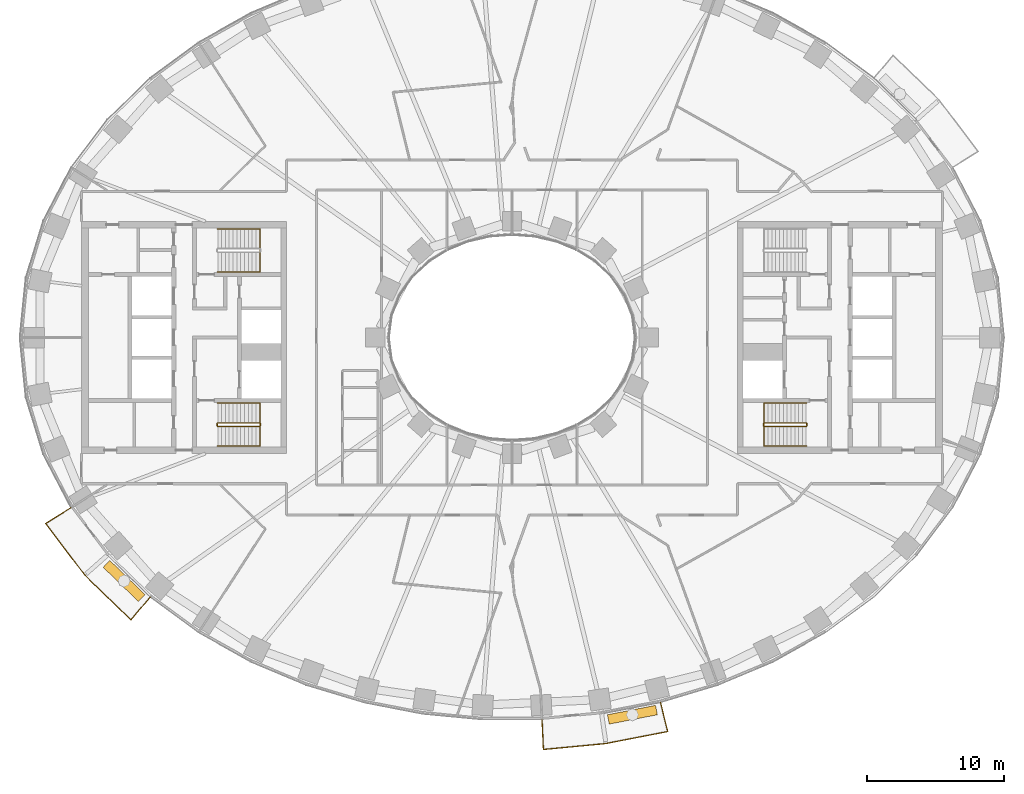
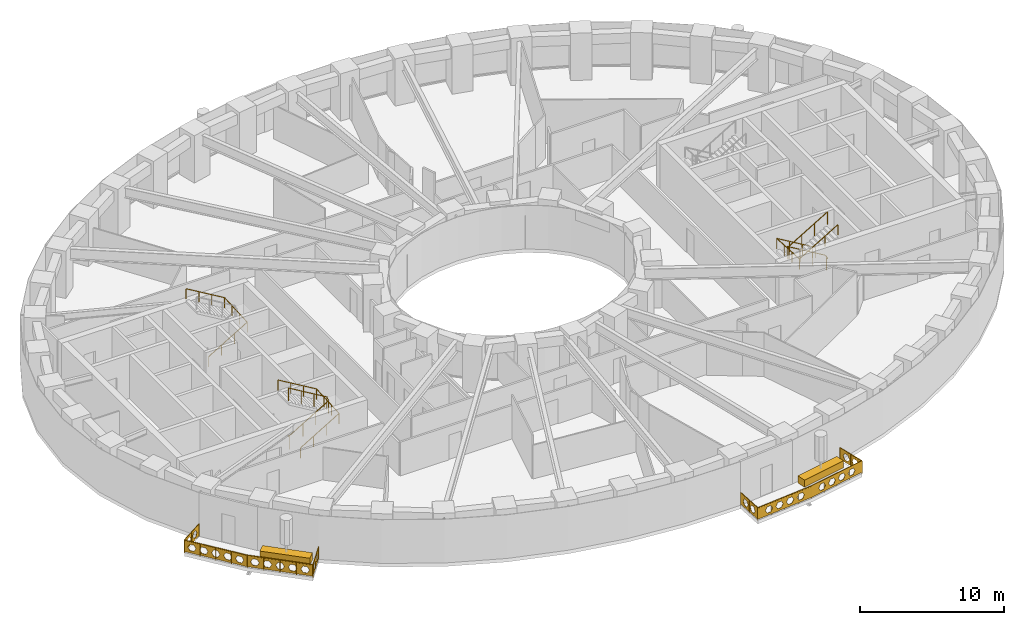
# One storey, part 14 of 16: 7 railings, 2 coverings.
"""IFC4 building model written with IfcOpenShell, lengths in metres."""

from ifc_helpers import new_model, si_unit, direction, frame, origin, origin_2d, place, context, subcontext, project, spatial, polyline, rectangle, outline, extrude, material, type_object, element, save


model = new_model("IFC4")

# Units and contexts
model_context = context("Model", 3, precision=1e-05, world=origin(), true_north=direction((0.0, 1.0)))
body_context = subcontext(model_context, "Body", "Model", "MODEL_VIEW")
ifc_project = project(units=[si_unit("LENGTHUNIT", "METRE"), si_unit("AREAUNIT", "SQUARE_METRE"), si_unit("VOLUMEUNIT", "CUBIC_METRE"), si_unit("PLANEANGLEUNIT", "RADIAN"), si_unit("MASSUNIT", "GRAM", prefix="KILO")], contexts=[model_context])

# Site, building, storey
site_placement = place(None, origin())
site = spatial("IfcSite", under=ifc_project, at=site_placement, CompositionType="ELEMENT")
building_placement = place(site_placement, origin())
building = spatial("IfcBuilding", under=site, at=building_placement, Name="Noorbagh Ring Tower", CompositionType="ELEMENT")
storey_placement = place(building_placement, frame((0.0, 0.0, 42.5)))
storey = spatial("IfcBuildingStorey", under=building, at=storey_placement, Name="L08", CompositionType="ELEMENT", Elevation=42.5)

# Railings
ifc_material_1 = material(Name="Stainless steel", Category="steel")
railing_type_1 = type_object("IfcRailingType", Name="CORE-STAIR-GUARD", PredefinedType="GUARDRAIL", material=ifc_material_1)
railing_1_placement = place(storey_placement, frame((-21.580078125, -6.449951171875, 0.0)))
element("IfcRailing", 1, at=railing_1_placement, inside=storey, type_object=railing_type_1, Name="L08 ST2 stair guard", PredefinedType="GUARDRAIL", context=body_context, shape_type="SweptSolid", body=[
    extrude(rectangle(XDim=0.048095703125, YDim=0.048095703125, at=origin_2d()), frame((0.0, 0.0, 1.076171875), z_axis=(0.0, 1.0, 0.0), x_axis=(-1.0, 0.0, 0.0)), (0.0, 0.0, 1.0), 0.14990234375),
    extrude(rectangle(XDim=0.048095703125, YDim=0.048095703125, at=origin_2d()), frame((0.0, 0.14990234375, 1.076171875), z_axis=(0.188775798145, -0.754182335027, 0.628945707965), x_axis=(0.970072785993, 0.242814311512, 0.0)), (0.0, 0.0, 1.0), 0.26513671875),
    extrude(rectangle(XDim=0.048095703125, YDim=0.048095703125, at=origin_2d()), frame((0.050048828125, -0.050048828125, 1.24267578125), z_axis=(0.859308565015, 0.0, 0.511457515432), x_axis=(0.0, 1.0, 0.0)), (0.0, 0.0, 1.0), 3.58447265625),
    extrude(rectangle(XDim=0.048095703125, YDim=0.048095703125, at=origin_2d()), frame((3.130126953125, -0.050048828125, 3.076171875), z_axis=(0.707106781187, 0.707106781187, 0.0), x_axis=(-0.707106781187, 0.707106781187, 0.0)), (0.0, 0.0, 1.0), 0.07080078125),
    extrude(rectangle(XDim=0.048095703125, YDim=0.048095703125, at=origin_2d()), frame((3.18017578125, 0.0, 3.076171875), z_axis=(0.0, 1.0, 0.0), x_axis=(-1.0, 0.0, 0.0)), (0.0, 0.0, 1.0), 0.14990234375),
    extrude(rectangle(XDim=0.048095703125, YDim=0.048095703125, at=origin_2d()), frame((3.18017578125, 0.14990234375, 3.076171875), z_axis=(-0.27628659633, 0.27628659633, 0.920506074601), x_axis=(-0.707106781187, -0.707106781187, 0.0)), (0.0, 0.0, 1.0), 0.18115234375),
    extrude(rectangle(XDim=0.048095703125, YDim=0.048095703125, at=origin_2d()), frame((3.130126953125, 0.199951171875, 3.24267578125), z_axis=(-0.859308565015, 0.0, 0.511457515432), x_axis=(0.0, -1.0, 0.0)), (0.0, 0.0, 1.0), 3.58447265625),
    extrude(rectangle(XDim=0.0419921875, YDim=0.0419921875, at=origin_2d()), origin(), (0.0, 0.0, 1.0), 1.052001953125),
    extrude(rectangle(XDim=0.0419921875, YDim=0.0419921875, at=origin_2d()), frame((1.07666015625, -0.050048828125, 0.77783203125)), (0.0, 0.0, 1.0), 1.052001953125),
    extrude(rectangle(XDim=0.0419921875, YDim=0.0419921875, at=origin_2d()), frame((2.103515625, -0.050048828125, 1.388916015625)), (0.0, 0.0, 1.0), 1.052001953125),
    extrude(rectangle(XDim=0.0419921875, YDim=0.0419921875, at=origin_2d()), frame((3.130126953125, -0.050048828125, 2.0)), (0.0, 0.0, 1.0), 1.052001953125),
    extrude(rectangle(XDim=0.0419921875, YDim=0.0419921875, at=origin_2d()), frame((3.130126953125, 0.199951171875, 2.166748046875)), (0.0, 0.0, 1.0), 1.052001953125),
    extrude(rectangle(XDim=0.0419921875, YDim=0.0419921875, at=origin_2d()), frame((2.103515625, 0.199951171875, 2.77783203125)), (0.0, 0.0, 1.0), 1.052001953125),
    extrude(rectangle(XDim=0.0419921875, YDim=0.0419921875, at=origin_2d()), frame((1.07666015625, 0.199951171875, 3.388916015625)), (0.0, 0.0, 1.0), 1.052001953125),
    extrude(rectangle(XDim=0.0419921875, YDim=0.0419921875, at=origin_2d()), frame((0.050048828125, 0.199951171875, 4.0)), (0.0, 0.0, 1.0), 1.052001953125),
])
railing_2_placement = place(storey_placement, frame((21.580078125, -6.300048828125, 0.0)))
element("IfcRailing", 2, at=railing_2_placement, inside=storey, type_object=railing_type_1, Name="L08 ST4 stair guard", PredefinedType="GUARDRAIL", context=body_context, shape_type="SweptSolid", body=[
    extrude(rectangle(XDim=0.048095703125, YDim=0.048095703125, at=origin_2d()), frame((0.0, 0.0, 1.076171875), z_axis=(0.0, -1.0, 0.0), x_axis=(1.0, 0.0, 0.0)), (0.0, 0.0, 1.0), 0.14990234375),
    extrude(rectangle(XDim=0.048095703125, YDim=0.048095703125, at=origin_2d()), frame((0.0, -0.14990234375, 1.076171875), z_axis=(-0.188775798145, 0.754182335027, 0.628945707965), x_axis=(-0.970072785993, -0.242814311512, 0.0)), (0.0, 0.0, 1.0), 0.26513671875),
    extrude(rectangle(XDim=0.048095703125, YDim=0.048095703125, at=origin_2d()), frame((-0.050048828125, 0.050048828125, 1.24267578125), z_axis=(-0.859308565015, 0.0, 0.511457515432), x_axis=(0.0, -1.0, 0.0)), (0.0, 0.0, 1.0), 3.58447265625),
    extrude(rectangle(XDim=0.048095703125, YDim=0.048095703125, at=origin_2d()), frame((-3.130126953125, 0.050048828125, 3.076171875), z_axis=(-0.707106781187, -0.707106781187, 0.0), x_axis=(0.707106781187, -0.707106781187, 0.0)), (0.0, 0.0, 1.0), 0.07080078125),
    extrude(rectangle(XDim=0.048095703125, YDim=0.048095703125, at=origin_2d()), frame((-3.18017578125, 0.0, 3.076171875), z_axis=(0.0, -1.0, 0.0), x_axis=(1.0, 0.0, 0.0)), (0.0, 0.0, 1.0), 0.14990234375),
    extrude(rectangle(XDim=0.048095703125, YDim=0.048095703125, at=origin_2d()), frame((-3.18017578125, -0.14990234375, 3.076171875), z_axis=(0.27628659633, -0.27628659633, 0.920506074601), x_axis=(0.707106781187, 0.707106781187, 0.0)), (0.0, 0.0, 1.0), 0.18115234375),
    extrude(rectangle(XDim=0.048095703125, YDim=0.048095703125, at=origin_2d()), frame((-3.130126953125, -0.199951171875, 3.24267578125), z_axis=(0.859308565015, 0.0, 0.511457515432), x_axis=(0.0, 1.0, 0.0)), (0.0, 0.0, 1.0), 3.58447265625),
    extrude(rectangle(XDim=0.0419921875, YDim=0.0419921875, at=origin_2d()), origin(), (0.0, 0.0, 1.0), 1.052001953125),
    extrude(rectangle(XDim=0.0419921875, YDim=0.0419921875, at=origin_2d()), frame((-1.07666015625, 0.050048828125, 0.77783203125)), (0.0, 0.0, 1.0), 1.052001953125),
    extrude(rectangle(XDim=0.0419921875, YDim=0.0419921875, at=origin_2d()), frame((-2.103515625, 0.050048828125, 1.388916015625)), (0.0, 0.0, 1.0), 1.052001953125),
    extrude(rectangle(XDim=0.0419921875, YDim=0.0419921875, at=origin_2d()), frame((-3.130126953125, 0.050048828125, 2.0)), (0.0, 0.0, 1.0), 1.052001953125),
    extrude(rectangle(XDim=0.0419921875, YDim=0.0419921875, at=origin_2d()), frame((-3.130126953125, -0.199951171875, 2.166748046875)), (0.0, 0.0, 1.0), 1.052001953125),
    extrude(rectangle(XDim=0.0419921875, YDim=0.0419921875, at=origin_2d()), frame((-2.103515625, -0.199951171875, 2.77783203125)), (0.0, 0.0, 1.0), 1.052001953125),
    extrude(rectangle(XDim=0.0419921875, YDim=0.0419921875, at=origin_2d()), frame((-1.07666015625, -0.199951171875, 3.388916015625)), (0.0, 0.0, 1.0), 1.052001953125),
    extrude(rectangle(XDim=0.0419921875, YDim=0.0419921875, at=origin_2d()), frame((-0.050048828125, -0.199951171875, 4.0)), (0.0, 0.0, 1.0), 1.052001953125),
])
ifc_material_2 = material(Name="Stainless steel", Category="steel")
railing_type_2 = type_object("IfcRailingType", Name="CORE-STAIR-HANDRAIL", PredefinedType="HANDRAIL", material=ifc_material_2)
railing_3_placement = place(storey_placement, frame((-21.530029296875, 4.800048828125, 0.166748046875)))
element("IfcRailing", 3, at=railing_3_placement, inside=storey, type_object=railing_type_2, Name="L08 ST1 stair handrail", PredefinedType="HANDRAIL", context=body_context, shape_type="SweptSolid", body=[
    extrude(rectangle(XDim=0.048095703125, YDim=0.048095703125, at=origin_2d()), frame((0.0, 0.0, 0.8759765625), z_axis=(0.859308565015, 0.0, 0.511457515432), x_axis=(0.0, 1.0, 0.0)), (0.0, 0.0, 1.0), 3.58447265625),
    extrude(rectangle(XDim=0.048095703125, YDim=0.048095703125, at=origin_2d()), frame((3.080078125, 0.0, 2.708984375), z_axis=(0.0, 0.998601747152, 0.052863509014), x_axis=(-1.0, 0.0, 0.0)), (0.0, 0.0, 1.0), 3.154296875),
    extrude(rectangle(XDim=0.048095703125, YDim=0.048095703125, at=origin_2d()), frame((3.080078125, 3.14990234375, 2.8759765625), z_axis=(-0.859308565015, 0.0, 0.511457515432), x_axis=(0.0, -1.0, 0.0)), (0.0, 0.0, 1.0), 3.58447265625),
    extrude(rectangle(XDim=0.0419921875, YDim=0.0419921875, at=origin_2d()), origin(), (0.0, 0.0, 1.0), 0.851806640625),
    extrude(rectangle(XDim=0.0419921875, YDim=0.0419921875, at=origin_2d()), frame((1.026611328125, 0.0, 0.611083984375)), (0.0, 0.0, 1.0), 0.851806640625),
    extrude(rectangle(XDim=0.0419921875, YDim=0.0419921875, at=origin_2d()), frame((2.053466796875, 0.0, 1.22216796875)), (0.0, 0.0, 1.0), 0.851806640625),
    extrude(rectangle(XDim=0.0419921875, YDim=0.0419921875, at=origin_2d()), frame((3.080078125, 0.0, 1.833251953125)), (0.0, 0.0, 1.0), 0.851806640625),
    extrude(rectangle(XDim=0.0419921875, YDim=0.0419921875, at=origin_2d()), frame((3.080078125, 1.050048828125, 1.888916015625)), (0.0, 0.0, 1.0), 0.851806640625),
    extrude(rectangle(XDim=0.0419921875, YDim=0.0419921875, at=origin_2d()), frame((3.080078125, 2.099853515625, 1.9443359375)), (0.0, 0.0, 1.0), 0.851806640625),
    extrude(rectangle(XDim=0.0419921875, YDim=0.0419921875, at=origin_2d()), frame((3.080078125, 3.14990234375, 2.0)), (0.0, 0.0, 1.0), 0.851806640625),
    extrude(rectangle(XDim=0.0419921875, YDim=0.0419921875, at=origin_2d()), frame((2.053466796875, 3.14990234375, 2.611083984375)), (0.0, 0.0, 1.0), 0.851806640625),
    extrude(rectangle(XDim=0.0419921875, YDim=0.0419921875, at=origin_2d()), frame((1.026611328125, 3.14990234375, 3.22216796875)), (0.0, 0.0, 1.0), 0.851806640625),
    extrude(rectangle(XDim=0.0419921875, YDim=0.0419921875, at=origin_2d()), frame((0.0, 3.14990234375, 3.833251953125)), (0.0, 0.0, 1.0), 0.851806640625),
])
railing_4_placement = place(storey_placement, frame((-21.530029296875, -7.949951171875, 0.166748046875)))
element("IfcRailing", 4, at=railing_4_placement, inside=storey, type_object=railing_type_2, Name="L08 ST2 stair handrail", PredefinedType="HANDRAIL", context=body_context, shape_type="SweptSolid", body=[
    extrude(rectangle(XDim=0.048095703125, YDim=0.048095703125, at=origin_2d()), frame((0.0, 0.0, 0.8759765625), z_axis=(0.859308565015, 0.0, 0.511457515432), x_axis=(0.0, 1.0, 0.0)), (0.0, 0.0, 1.0), 3.58447265625),
    extrude(rectangle(XDim=0.048095703125, YDim=0.048095703125, at=origin_2d()), frame((3.080078125, 0.0, 2.708984375), z_axis=(0.0, 0.998601747152, 0.052863509014), x_axis=(-1.0, 0.0, 0.0)), (0.0, 0.0, 1.0), 3.154296875),
    extrude(rectangle(XDim=0.048095703125, YDim=0.048095703125, at=origin_2d()), frame((3.080078125, 3.14990234375, 2.8759765625), z_axis=(-0.859308565015, 0.0, 0.511457515432), x_axis=(0.0, -1.0, 0.0)), (0.0, 0.0, 1.0), 3.58447265625),
    extrude(rectangle(XDim=0.0419921875, YDim=0.0419921875, at=origin_2d()), origin(), (0.0, 0.0, 1.0), 0.851806640625),
    extrude(rectangle(XDim=0.0419921875, YDim=0.0419921875, at=origin_2d()), frame((1.026611328125, 0.0, 0.611083984375)), (0.0, 0.0, 1.0), 0.851806640625),
    extrude(rectangle(XDim=0.0419921875, YDim=0.0419921875, at=origin_2d()), frame((2.053466796875, 0.0, 1.22216796875)), (0.0, 0.0, 1.0), 0.851806640625),
    extrude(rectangle(XDim=0.0419921875, YDim=0.0419921875, at=origin_2d()), frame((3.080078125, 0.0, 1.833251953125)), (0.0, 0.0, 1.0), 0.851806640625),
    extrude(rectangle(XDim=0.0419921875, YDim=0.0419921875, at=origin_2d()), frame((3.080078125, 1.050048828125, 1.888916015625)), (0.0, 0.0, 1.0), 0.851806640625),
    extrude(rectangle(XDim=0.0419921875, YDim=0.0419921875, at=origin_2d()), frame((3.080078125, 2.099853515625, 1.9443359375)), (0.0, 0.0, 1.0), 0.851806640625),
    extrude(rectangle(XDim=0.0419921875, YDim=0.0419921875, at=origin_2d()), frame((3.080078125, 3.14990234375, 2.0)), (0.0, 0.0, 1.0), 0.851806640625),
    extrude(rectangle(XDim=0.0419921875, YDim=0.0419921875, at=origin_2d()), frame((2.053466796875, 3.14990234375, 2.611083984375)), (0.0, 0.0, 1.0), 0.851806640625),
    extrude(rectangle(XDim=0.0419921875, YDim=0.0419921875, at=origin_2d()), frame((1.026611328125, 3.14990234375, 3.22216796875)), (0.0, 0.0, 1.0), 0.851806640625),
    extrude(rectangle(XDim=0.0419921875, YDim=0.0419921875, at=origin_2d()), frame((0.0, 3.14990234375, 3.833251953125)), (0.0, 0.0, 1.0), 0.851806640625),
])
railing_5_placement = place(storey_placement, frame((21.530029296875, -4.800048828125, 0.166748046875)))
element("IfcRailing", 5, at=railing_5_placement, inside=storey, type_object=railing_type_2, Name="L08 ST4 stair handrail", PredefinedType="HANDRAIL", context=body_context, shape_type="SweptSolid", body=[
    extrude(rectangle(XDim=0.048095703125, YDim=0.048095703125, at=origin_2d()), frame((0.0, 0.0, 0.8759765625), z_axis=(-0.859308565015, 0.0, 0.511457515432), x_axis=(0.0, -1.0, 0.0)), (0.0, 0.0, 1.0), 3.58447265625),
    extrude(rectangle(XDim=0.048095703125, YDim=0.048095703125, at=origin_2d()), frame((-3.080078125, 0.0, 2.708984375), z_axis=(0.0, -0.998601747152, 0.052863509014), x_axis=(1.0, 0.0, 0.0)), (0.0, 0.0, 1.0), 3.154296875),
    extrude(rectangle(XDim=0.048095703125, YDim=0.048095703125, at=origin_2d()), frame((-3.080078125, -3.14990234375, 2.8759765625), z_axis=(0.859308565015, 0.0, 0.511457515432), x_axis=(0.0, 1.0, 0.0)), (0.0, 0.0, 1.0), 3.58447265625),
    extrude(rectangle(XDim=0.0419921875, YDim=0.0419921875, at=origin_2d()), origin(), (0.0, 0.0, 1.0), 0.851806640625),
    extrude(rectangle(XDim=0.0419921875, YDim=0.0419921875, at=origin_2d()), frame((-1.026611328125, 0.0, 0.611083984375)), (0.0, 0.0, 1.0), 0.851806640625),
    extrude(rectangle(XDim=0.0419921875, YDim=0.0419921875, at=origin_2d()), frame((-2.053466796875, 0.0, 1.22216796875)), (0.0, 0.0, 1.0), 0.851806640625),
    extrude(rectangle(XDim=0.0419921875, YDim=0.0419921875, at=origin_2d()), frame((-3.080078125, 0.0, 1.833251953125)), (0.0, 0.0, 1.0), 0.851806640625),
    extrude(rectangle(XDim=0.0419921875, YDim=0.0419921875, at=origin_2d()), frame((-3.080078125, -1.050048828125, 1.888916015625)), (0.0, 0.0, 1.0), 0.851806640625),
    extrude(rectangle(XDim=0.0419921875, YDim=0.0419921875, at=origin_2d()), frame((-3.080078125, -2.099853515625, 1.9443359375)), (0.0, 0.0, 1.0), 0.851806640625),
    extrude(rectangle(XDim=0.0419921875, YDim=0.0419921875, at=origin_2d()), frame((-3.080078125, -3.14990234375, 2.0)), (0.0, 0.0, 1.0), 0.851806640625),
    extrude(rectangle(XDim=0.0419921875, YDim=0.0419921875, at=origin_2d()), frame((-2.053466796875, -3.14990234375, 2.611083984375)), (0.0, 0.0, 1.0), 0.851806640625),
    extrude(rectangle(XDim=0.0419921875, YDim=0.0419921875, at=origin_2d()), frame((-1.026611328125, -3.14990234375, 3.22216796875)), (0.0, 0.0, 1.0), 0.851806640625),
    extrude(rectangle(XDim=0.0419921875, YDim=0.0419921875, at=origin_2d()), frame((0.0, -3.14990234375, 3.833251953125)), (0.0, 0.0, 1.0), 0.851806640625),
])
ifc_material_3 = material(Name="Steel S275 black powder-coated", Category="steel")
railing_type_3 = type_object("IfcRailingType", Name="ENV-GUARD", PredefinedType="GUARDRAIL", material=ifc_material_3)
railing_6_placement = place(storey_placement, frame((-32.255126953125, -12.434814453125, 0.0)))
element("IfcRailing", 6, at=railing_6_placement, inside=storey, type_object=railing_type_3, Name="Balcony guard BS01", PredefinedType="GUARDRAIL", context=body_context, shape_type="SweptSolid", body=[
    extrude(rectangle(XDim=0.048095703125, YDim=0.048095703125, at=origin_2d()), frame((0.0, 0.0, 1.076171875), z_axis=(-0.844852397829, -0.534999463442, 0.0), x_axis=(0.534999463442, -0.844852397829, 0.0)), (0.0, 0.0, 1.0), 2.207763671875),
    extrude(rectangle(XDim=0.048095703125, YDim=0.048095703125, at=origin_2d()), frame((-1.865234375, -1.18115234375, 1.076171875), z_axis=(0.604001613322, -0.796983093362, 0.0), x_axis=(0.796983093362, 0.604001613322, 0.0)), (0.0, 0.0, 1.0), 4.7353515625),
    extrude(rectangle(XDim=0.048095703125, YDim=0.048095703125, at=origin_2d()), frame((0.994873046875, -4.955078125, 1.076171875), z_axis=(0.717212632946, -0.696854388766, 0.0), x_axis=(0.696854388766, 0.717212632946, 0.0)), (0.0, 0.0, 1.0), 4.700927734375),
    extrude(rectangle(XDim=0.048095703125, YDim=0.048095703125, at=origin_2d()), frame((4.366455078125, -8.23095703125, 1.076171875), z_axis=(0.646413574048, 0.762987215677, 0.0), x_axis=(-0.762987215677, 0.646413574048, 0.0)), (0.0, 0.0, 1.0), 2.205322265625),
    extrude(rectangle(XDim=0.0419921875, YDim=0.0419921875, at=origin_2d()), origin(), (0.0, 0.0, 1.0), 1.052001953125),
    extrude(rectangle(XDim=0.0419921875, YDim=0.0419921875, at=origin_2d()), frame((-0.9326171875, -0.590576171875, 0.0)), (0.0, 0.0, 1.0), 1.052001953125),
    extrude(rectangle(XDim=0.0419921875, YDim=0.0419921875, at=origin_2d()), frame((-1.865234375, -1.18115234375, 0.0)), (0.0, 0.0, 1.0), 1.052001953125),
    extrude(rectangle(XDim=0.0419921875, YDim=0.0419921875, at=origin_2d()), frame((-1.150146484375, -2.12451171875, 0.0)), (0.0, 0.0, 1.0), 1.052001953125),
    extrude(rectangle(XDim=0.0419921875, YDim=0.0419921875, at=origin_2d()), frame((-0.43505859375, -3.068115234375, 0.0)), (0.0, 0.0, 1.0), 1.052001953125),
    extrude(rectangle(XDim=0.0419921875, YDim=0.0419921875, at=origin_2d()), frame((0.27978515625, -4.01171875, 0.0)), (0.0, 0.0, 1.0), 1.052001953125),
    extrude(rectangle(XDim=0.0419921875, YDim=0.0419921875, at=origin_2d()), frame((0.994873046875, -4.955078125, 0.0)), (0.0, 0.0, 1.0), 1.052001953125),
    extrude(rectangle(XDim=0.0419921875, YDim=0.0419921875, at=origin_2d()), frame((1.837890625, -5.77392578125, 0.0)), (0.0, 0.0, 1.0), 1.052001953125),
    extrude(rectangle(XDim=0.0419921875, YDim=0.0419921875, at=origin_2d()), frame((2.6806640625, -6.593017578125, 0.0)), (0.0, 0.0, 1.0), 1.052001953125),
    extrude(rectangle(XDim=0.0419921875, YDim=0.0419921875, at=origin_2d()), frame((3.5234375, -7.412109375, 0.0)), (0.0, 0.0, 1.0), 1.052001953125),
    extrude(rectangle(XDim=0.0419921875, YDim=0.0419921875, at=origin_2d()), frame((4.366455078125, -8.23095703125, 0.0)), (0.0, 0.0, 1.0), 1.052001953125),
    extrude(rectangle(XDim=0.0419921875, YDim=0.0419921875, at=origin_2d()), frame((5.0791015625, -7.3896484375, 0.0)), (0.0, 0.0, 1.0), 1.052001953125),
    extrude(rectangle(XDim=0.0419921875, YDim=0.0419921875, at=origin_2d()), frame((5.7919921875, -6.54833984375, 0.0)), (0.0, 0.0, 1.0), 1.052001953125),
    extrude(outline(polyline([(0.0, 0.10009765625), (2.207763671875, 0.10009765625), (2.207763671875, 1.031982421875), (0.0, 1.031982421875), (0.0, 0.10009765625)]), holes=[polyline([(0.9638671875, 0.56591796875), (0.808837890625, 0.83447265625), (0.498779296875, 0.83447265625), (0.343994140625, 0.56591796875), (0.498779296875, 0.297607421875), (0.808837890625, 0.297607421875), (0.9638671875, 0.56591796875)]), polyline([(1.86376953125, 0.56591796875), (1.708984375, 0.83447265625), (1.39892578125, 0.83447265625), (1.243896484375, 0.56591796875), (1.39892578125, 0.297607421875), (1.708984375, 0.297607421875), (1.86376953125, 0.56591796875)])]), frame((0.00537109375, -0.008544921875, 0.0), z_axis=(-0.534999463442, 0.844852397829, 0.0), x_axis=(-0.844852397829, -0.534999463442, 0.0)), (0.0, 0.0, 1.0), 0.02001953125),
    extrude(outline(polyline([(0.0, 0.10009765625), (4.7353515625, 0.10009765625), (4.7353515625, 1.031982421875), (0.0, 1.031982421875), (0.0, 0.10009765625)]), holes=[polyline([(0.877685546875, 0.56591796875), (0.72265625, 0.83447265625), (0.41259765625, 0.83447265625), (0.257568359375, 0.56591796875), (0.41259765625, 0.297607421875), (0.72265625, 0.297607421875), (0.877685546875, 0.56591796875)]), polyline([(1.777587890625, 0.56591796875), (1.62255859375, 0.83447265625), (1.312744140625, 0.83447265625), (1.15771484375, 0.56591796875), (1.312744140625, 0.297607421875), (1.62255859375, 0.297607421875), (1.777587890625, 0.56591796875)]), polyline([(2.677734375, 0.56591796875), (2.522705078125, 0.83447265625), (2.212646484375, 0.83447265625), (2.0576171875, 0.56591796875), (2.212646484375, 0.297607421875), (2.522705078125, 0.297607421875), (2.677734375, 0.56591796875)]), polyline([(3.57763671875, 0.56591796875), (3.422607421875, 0.83447265625), (3.112548828125, 0.83447265625), (2.95751953125, 0.56591796875), (3.112548828125, 0.297607421875), (3.422607421875, 0.297607421875), (3.57763671875, 0.56591796875)]), polyline([(4.4775390625, 0.56591796875), (4.32275390625, 0.83447265625), (4.0126953125, 0.83447265625), (3.857666015625, 0.56591796875), (4.0126953125, 0.297607421875), (4.32275390625, 0.297607421875), (4.4775390625, 0.56591796875)])]), frame((-1.857177734375, -1.175048828125, 0.0), z_axis=(-0.796983093362, -0.604001613322, 0.0), x_axis=(0.604001613322, -0.796983093362, 0.0)), (0.0, 0.0, 1.0), 0.02001953125),
    extrude(outline(polyline([(0.0, 0.10009765625), (4.700927734375, 0.10009765625), (4.700927734375, 1.031982421875), (0.0, 1.031982421875), (0.0, 0.10009765625)]), holes=[polyline([(0.860595703125, 0.56591796875), (0.70556640625, 0.83447265625), (0.3955078125, 0.83447265625), (0.240478515625, 0.56591796875), (0.3955078125, 0.297607421875), (0.70556640625, 0.297607421875), (0.860595703125, 0.56591796875)]), polyline([(1.760498046875, 0.56591796875), (1.60546875, 0.83447265625), (1.29541015625, 0.83447265625), (1.140380859375, 0.56591796875), (1.29541015625, 0.297607421875), (1.60546875, 0.297607421875), (1.760498046875, 0.56591796875)]), polyline([(2.660400390625, 0.56591796875), (2.50537109375, 0.83447265625), (2.195556640625, 0.83447265625), (2.04052734375, 0.56591796875), (2.195556640625, 0.297607421875), (2.50537109375, 0.297607421875), (2.660400390625, 0.56591796875)]), polyline([(3.560546875, 0.56591796875), (3.405517578125, 0.83447265625), (3.095458984375, 0.83447265625), (2.9404296875, 0.56591796875), (3.095458984375, 0.297607421875), (3.405517578125, 0.297607421875), (3.560546875, 0.56591796875)]), polyline([(4.46044921875, 0.56591796875), (4.305419921875, 0.83447265625), (3.995361328125, 0.83447265625), (3.840576171875, 0.56591796875), (3.995361328125, 0.297607421875), (4.305419921875, 0.297607421875), (4.46044921875, 0.56591796875)])]), frame((1.001953125, -4.947998046875, 0.0), z_axis=(-0.696854388766, -0.717212632946, 0.0), x_axis=(0.717212632946, -0.696854388766, 0.0)), (0.0, 0.0, 1.0), 0.02001953125),
    extrude(outline(polyline([(0.0, 0.10009765625), (2.205322265625, 0.10009765625), (2.205322265625, 1.031982421875), (0.0, 1.031982421875), (0.0, 0.10009765625)]), holes=[polyline([(0.962646484375, 0.56591796875), (0.8076171875, 0.83447265625), (0.49755859375, 0.83447265625), (0.342529296875, 0.56591796875), (0.49755859375, 0.297607421875), (0.8076171875, 0.297607421875), (0.962646484375, 0.56591796875)]), polyline([(1.862548828125, 0.56591796875), (1.707763671875, 0.83447265625), (1.397705078125, 0.83447265625), (1.24267578125, 0.56591796875), (1.397705078125, 0.297607421875), (1.707763671875, 0.297607421875), (1.862548828125, 0.56591796875)])]), frame((4.35888671875, -8.224609375, 0.0), z_axis=(0.762987215677, -0.646413574048, 0.0), x_axis=(0.646413574048, 0.762987215677, 0.0)), (0.0, 0.0, 1.0), 0.02001953125),
])
railing_7_placement = place(storey_placement, frame((2.193115234375, -27.947998046875, 0.0)))
element("IfcRailing", 7, at=railing_7_placement, inside=storey, type_object=railing_type_3, Name="Balcony guard BS04", PredefinedType="GUARDRAIL", context=body_context, shape_type="SweptSolid", body=[
    extrude(rectangle(XDim=0.048095703125, YDim=0.048095703125, at=origin_2d()), frame((0.0, 0.0, 1.076171875), z_axis=(0.047554616162, -0.998868639252, 0.0), x_axis=(0.998868639252, 0.047554616162, 0.0)), (0.0, 0.0, 1.0), 2.202392578125),
    extrude(rectangle(XDim=0.048095703125, YDim=0.048095703125, at=origin_2d()), frame((0.104736328125, -2.199951171875, 1.076171875), z_axis=(0.995477555764, 0.094997031379, 0.0), x_axis=(-0.094997031379, 0.995477555764, 0.0)), (0.0, 0.0, 1.0), 4.59765625),
    extrude(rectangle(XDim=0.048095703125, YDim=0.048095703125, at=origin_2d()), frame((4.681640625, -1.76318359375, 1.076171875), z_axis=(0.981625049064, 0.1908199755, 0.0), x_axis=(-0.1908199755, 0.981625049064, 0.0)), (0.0, 0.0, 1.0), 4.603271484375),
    extrude(rectangle(XDim=0.048095703125, YDim=0.048095703125, at=origin_2d()), frame((9.200439453125, -0.884765625, 1.076171875), z_axis=(-0.239848558412, 0.970810315679, 0.0), x_axis=(-0.970810315679, -0.239848558412, 0.0)), (0.0, 0.0, 1.0), 2.20263671875),
    extrude(rectangle(XDim=0.0419921875, YDim=0.0419921875, at=origin_2d()), origin(), (0.0, 0.0, 1.0), 1.052001953125),
    extrude(rectangle(XDim=0.0419921875, YDim=0.0419921875, at=origin_2d()), frame((0.05224609375, -1.10009765625, 0.0)), (0.0, 0.0, 1.0), 1.052001953125),
    extrude(rectangle(XDim=0.0419921875, YDim=0.0419921875, at=origin_2d()), frame((0.104736328125, -2.199951171875, 0.0)), (0.0, 0.0, 1.0), 1.052001953125),
    extrude(rectangle(XDim=0.0419921875, YDim=0.0419921875, at=origin_2d()), frame((1.2490234375, -2.0908203125, 0.0)), (0.0, 0.0, 1.0), 1.052001953125),
    extrude(rectangle(XDim=0.0419921875, YDim=0.0419921875, at=origin_2d()), frame((2.39306640625, -1.9814453125, 0.0)), (0.0, 0.0, 1.0), 1.052001953125),
    extrude(rectangle(XDim=0.0419921875, YDim=0.0419921875, at=origin_2d()), frame((3.537353515625, -1.872314453125, 0.0)), (0.0, 0.0, 1.0), 1.052001953125),
    extrude(rectangle(XDim=0.0419921875, YDim=0.0419921875, at=origin_2d()), frame((4.681640625, -1.76318359375, 0.0)), (0.0, 0.0, 1.0), 1.052001953125),
    extrude(rectangle(XDim=0.0419921875, YDim=0.0419921875, at=origin_2d()), frame((5.811279296875, -1.54345703125, 0.0)), (0.0, 0.0, 1.0), 1.052001953125),
    extrude(rectangle(XDim=0.0419921875, YDim=0.0419921875, at=origin_2d()), frame((6.94091796875, -1.323974609375, 0.0)), (0.0, 0.0, 1.0), 1.052001953125),
    extrude(rectangle(XDim=0.0419921875, YDim=0.0419921875, at=origin_2d()), frame((8.07080078125, -1.1044921875, 0.0)), (0.0, 0.0, 1.0), 1.052001953125),
    extrude(rectangle(XDim=0.0419921875, YDim=0.0419921875, at=origin_2d()), frame((9.200439453125, -0.884765625, 0.0)), (0.0, 0.0, 1.0), 1.052001953125),
    extrude(rectangle(XDim=0.0419921875, YDim=0.0419921875, at=origin_2d()), frame((8.936279296875, 0.1845703125, 0.0)), (0.0, 0.0, 1.0), 1.052001953125),
    extrude(rectangle(XDim=0.0419921875, YDim=0.0419921875, at=origin_2d()), frame((8.672119140625, 1.253662109375, 0.0)), (0.0, 0.0, 1.0), 1.052001953125),
    extrude(outline(polyline([(0.0, 0.10009765625), (2.202392578125, 0.10009765625), (2.202392578125, 1.031982421875), (0.0, 1.031982421875), (0.0, 0.10009765625)]), holes=[polyline([(0.961181640625, 0.56591796875), (0.80615234375, 0.83447265625), (0.496337890625, 0.83447265625), (0.34130859375, 0.56591796875), (0.496337890625, 0.297607421875), (0.80615234375, 0.297607421875), (0.961181640625, 0.56591796875)]), polyline([(1.861328125, 0.56591796875), (1.706298828125, 0.83447265625), (1.396240234375, 0.83447265625), (1.2412109375, 0.56591796875), (1.396240234375, 0.297607421875), (1.706298828125, 0.297607421875), (1.861328125, 0.56591796875)])]), frame((0.010009765625, 0.00048828125, 0.0), z_axis=(-0.998868639252, -0.047554616162, 0.0), x_axis=(0.047554616162, -0.998868639252, 0.0)), (0.0, 0.0, 1.0), 0.02001953125),
    extrude(outline(polyline([(0.0, 0.10009765625), (4.59765625, 0.10009765625), (4.59765625, 1.031982421875), (0.0, 1.031982421875), (0.0, 0.10009765625)]), holes=[polyline([(1.2587890625, 0.56591796875), (1.103759765625, 0.83447265625), (0.7939453125, 0.83447265625), (0.638916015625, 0.56591796875), (0.7939453125, 0.297607421875), (1.103759765625, 0.297607421875), (1.2587890625, 0.56591796875)]), polyline([(2.158935546875, 0.56591796875), (2.00390625, 0.83447265625), (1.69384765625, 0.83447265625), (1.538818359375, 0.56591796875), (1.69384765625, 0.297607421875), (2.00390625, 0.297607421875), (2.158935546875, 0.56591796875)]), polyline([(3.058837890625, 0.56591796875), (2.90380859375, 0.83447265625), (2.59375, 0.83447265625), (2.43896484375, 0.56591796875), (2.59375, 0.297607421875), (2.90380859375, 0.297607421875), (3.058837890625, 0.56591796875)]), polyline([(3.958740234375, 0.56591796875), (3.803955078125, 0.83447265625), (3.493896484375, 0.83447265625), (3.3388671875, 0.56591796875), (3.493896484375, 0.297607421875), (3.803955078125, 0.297607421875), (3.958740234375, 0.56591796875)])]), frame((0.103759765625, -2.18994140625, 0.0), z_axis=(0.094997031379, -0.995477555764, 0.0), x_axis=(0.995477555764, 0.094997031379, 0.0)), (0.0, 0.0, 1.0), 0.02001953125),
    extrude(outline(polyline([(0.0, 0.10009765625), (4.603271484375, 0.10009765625), (4.603271484375, 1.031982421875), (0.0, 1.031982421875), (0.0, 0.10009765625)]), holes=[polyline([(1.26171875, 0.56591796875), (1.106689453125, 0.83447265625), (0.796630859375, 0.83447265625), (0.6416015625, 0.56591796875), (0.796630859375, 0.297607421875), (1.106689453125, 0.297607421875), (1.26171875, 0.56591796875)]), polyline([(2.16162109375, 0.56591796875), (2.006591796875, 0.83447265625), (1.69677734375, 0.83447265625), (1.541748046875, 0.56591796875), (1.69677734375, 0.297607421875), (2.006591796875, 0.297607421875), (2.16162109375, 0.56591796875)]), polyline([(3.061767578125, 0.56591796875), (2.90673828125, 0.83447265625), (2.5966796875, 0.83447265625), (2.441650390625, 0.56591796875), (2.5966796875, 0.297607421875), (2.90673828125, 0.297607421875), (3.061767578125, 0.56591796875)]), polyline([(3.961669921875, 0.56591796875), (3.806640625, 0.83447265625), (3.49658203125, 0.83447265625), (3.341796875, 0.56591796875), (3.49658203125, 0.297607421875), (3.806640625, 0.297607421875), (3.961669921875, 0.56591796875)])]), frame((4.6796875, -1.75341796875, 0.0), z_axis=(0.1908199755, -0.981625049064, 0.0), x_axis=(0.981625049064, 0.1908199755, 0.0)), (0.0, 0.0, 1.0), 0.02001953125),
    extrude(outline(polyline([(0.0, 0.10009765625), (2.20263671875, 0.10009765625), (2.20263671875, 1.031982421875), (0.0, 1.031982421875), (0.0, 0.10009765625)]), holes=[polyline([(0.96142578125, 0.56591796875), (0.806396484375, 0.83447265625), (0.496337890625, 0.83447265625), (0.34130859375, 0.56591796875), (0.496337890625, 0.297607421875), (0.806396484375, 0.297607421875), (0.96142578125, 0.56591796875)]), polyline([(1.861328125, 0.56591796875), (1.706298828125, 0.83447265625), (1.396240234375, 0.83447265625), (1.241455078125, 0.56591796875), (1.396240234375, 0.297607421875), (1.706298828125, 0.297607421875), (1.861328125, 0.56591796875)])]), frame((9.190673828125, -0.88720703125, 0.0), z_axis=(0.970810315679, 0.239848558412, 0.0), x_axis=(-0.239848558412, 0.970810315679, 0.0)), (0.0, 0.0, 1.0), 0.02001953125),
])

# Coverings
ifc_material_4 = material(Name="Concrete C30/37 planter with soil", Category="concrete")
covering_type = type_object("IfcCoveringType", Name="ENV-PLANTER", PredefinedType="CLADDING", material=ifc_material_4)
covering_1_placement = place(storey_placement, frame((-28.3837890625, -17.814208984375, 0.0), z_axis=(0.0, 0.0, 1.0), x_axis=(0.717224548362, -0.696842125038, 0.0)))
element("IfcCovering", 8, at=covering_1_placement, inside=storey, type_object=covering_type, Name="PLANTER BS01", ObjectType="PLANTER", PredefinedType="CLADDING", context=body_context, shape_type="SweptSolid", body=[
    extrude(rectangle(XDim=3.584228515625, YDim=0.699951171875, at=origin_2d()), origin(), (0.0, 0.0, 1.0), 0.60009765625),
])
covering_2_placement = place(storey_placement, frame((8.807861328125, -27.603515625, 0.0), z_axis=(0.0, 0.0, 1.0), x_axis=(0.981624952922, 0.190820470077, 0.0)))
element("IfcCovering", 9, at=covering_2_placement, inside=storey, type_object=covering_type, Name="PLANTER BS04", ObjectType="PLANTER", PredefinedType="CLADDING", context=body_context, shape_type="SweptSolid", body=[
    extrude(rectangle(XDim=3.586181640625, YDim=0.699951171875, at=origin_2d()), origin(), (0.0, 0.0, 1.0), 0.60009765625),
])

save(model, "model.ifc")
